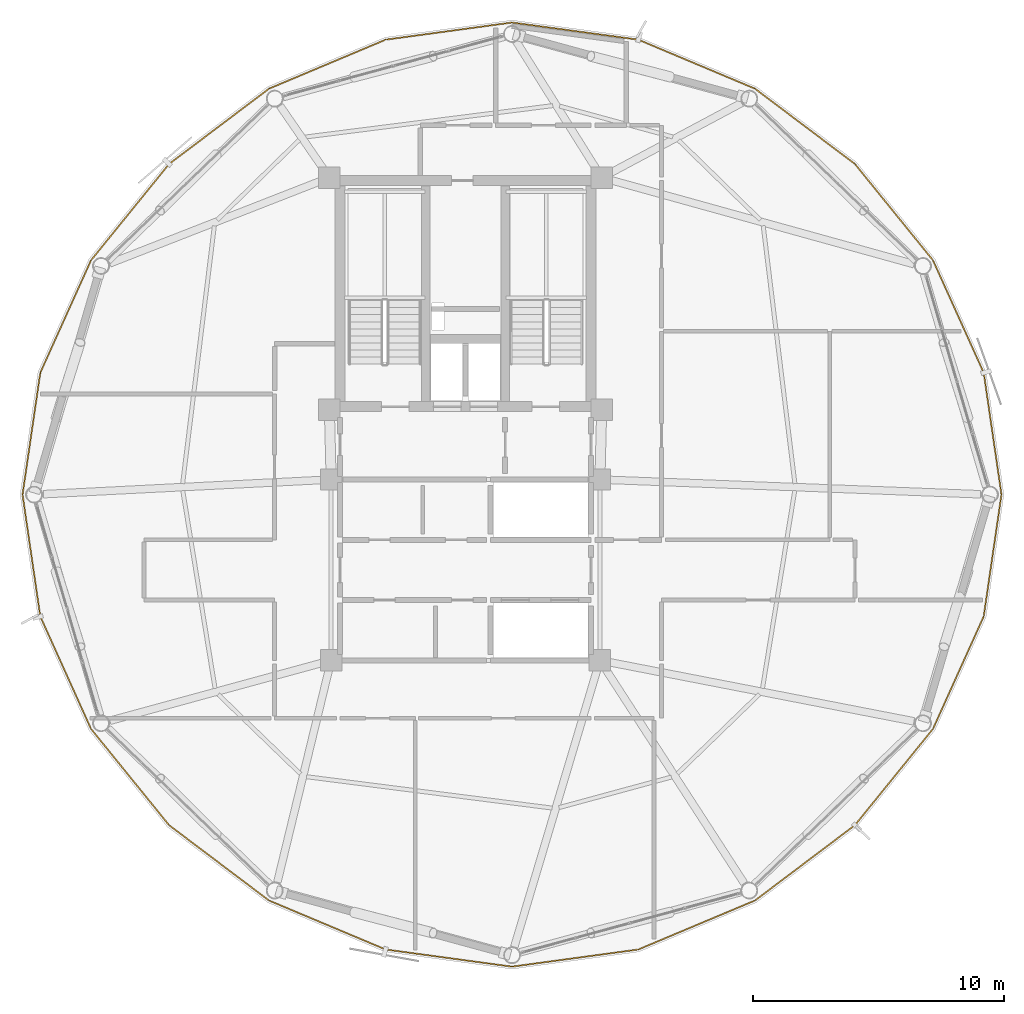
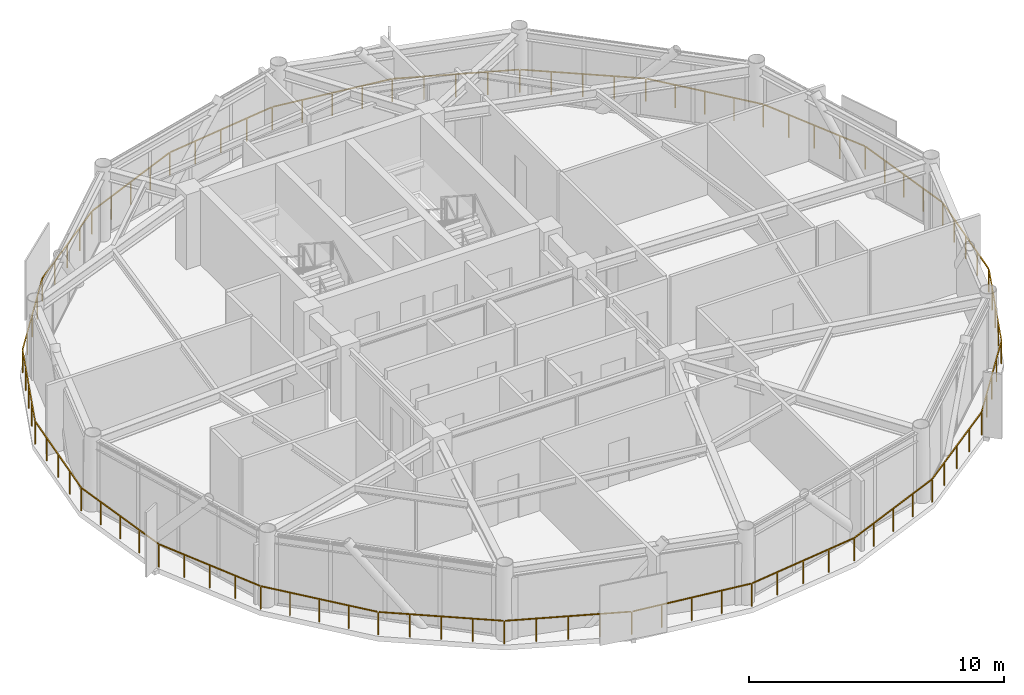
# One storey, part 25 of 26: 1 railing.
"""IFC4 building model written with IfcOpenShell, lengths in metres."""

from ifc_helpers import new_model, si_unit, direction, frame, origin, origin_2d, place, context, subcontext, project, spatial, rectangle, extrude, material, type_object, element, save


model = new_model("IFC4")

# Units and contexts
model_context = context("Model", 3, precision=1e-05, world=origin(), true_north=direction((0.0, 1.0)))
body_context = subcontext(model_context, "Body", "Model", "MODEL_VIEW")
ifc_project = project(units=[si_unit("LENGTHUNIT", "METRE"), si_unit("AREAUNIT", "SQUARE_METRE"), si_unit("VOLUMEUNIT", "CUBIC_METRE"), si_unit("PLANEANGLEUNIT", "RADIAN"), si_unit("MASSUNIT", "GRAM", prefix="KILO")], contexts=[model_context])

# Site, building, storey
site_placement = place(None, origin())
site = spatial("IfcSite", under=ifc_project, at=site_placement, CompositionType="ELEMENT")
building_placement = place(site_placement, origin())
building = spatial("IfcBuilding", under=site, at=building_placement, Name="Varnakorn Sky Granary", CompositionType="ELEMENT")
storey_placement = place(building_placement, frame((0.0, 0.0, 218.39990234375)))
storey = spatial("IfcBuildingStorey", under=building, at=storey_placement, Name="L55", CompositionType="ELEMENT", Elevation=218.39990234375)

# Railing
ifc_material = material(Name="Anodised Bronze Aluminium Alloy 6063-T6", Category="aluminium")
railing_type = type_object("IfcRailingType", Name="RL-BAL-1120", PredefinedType="BALUSTRADE", material=ifc_material)
railing_placement = place(storey_placement, frame((24.3359375, 0.0, 0.0)))
element("IfcRailing", 1, at=railing_placement, inside=storey, type_object=railing_type, Name="Perimeter Slab-Edge Safety Guard L55", PredefinedType="BALUSTRADE", context=body_context, shape_type="SweptSolid", body=[
    extrude(rectangle(XDim=0.048095703125, YDim=0.048095703125, at=origin_2d()), frame((-0.004150390625, -0.027587890625, 1.09619140625), z_axis=(-0.144203247853, -0.989548090448, 0.0), x_axis=(0.989548090448, -0.144203247853, 0.0)), (0.0, 0.0, 1.0), 4.84521484375),
    extrude(rectangle(XDim=0.048095703125, YDim=0.048095703125, at=origin_2d()), frame((-0.71826171875, -4.875732421875, 1.09619140625), z_axis=(-0.411141774929, -0.91157141295, 0.0), x_axis=(0.91157141295, -0.411141774929, 0.0)), (0.0, 0.0, 1.0), 4.854736328125),
    extrude(rectangle(XDim=0.048095703125, YDim=0.048095703125, at=origin_2d()), frame((-2.743408203125, -9.348388671875, 1.09619140625), z_axis=(-0.629677714753, -0.776856470362, 0.0), x_axis=(0.776856470362, -0.629677714753, 0.0)), (0.0, 0.0, 1.0), 4.87890625),
    extrude(rectangle(XDim=0.048095703125, YDim=0.048095703125, at=origin_2d()), frame((-5.855712890625, -13.17724609375, 1.09619140625), z_axis=(-0.7985092498, -0.6019825396, 0.0), x_axis=(0.6019825396, -0.7985092498, 0.0)), (0.0, 0.0, 1.0), 4.92431640625),
    extrude(rectangle(XDim=0.048095703125, YDim=0.048095703125, at=origin_2d()), frame((-9.8359375, -16.169189453125, 1.09619140625), z_axis=(-0.921973454542, -0.387253081485, 0.0), x_axis=(0.387253081485, -0.921973454542, 0.0)), (0.0, 0.0, 1.0), 4.98193359375),
    extrude(rectangle(XDim=0.048095703125, YDim=0.048095703125, at=origin_2d()), frame((-14.482666015625, -18.113037109375, 1.09619140625), z_axis=(-0.990888304765, -0.134686181475, 0.0), x_axis=(0.134686181475, -0.990888304765, 0.0)), (0.0, 0.0, 1.0), 5.021240234375),
    extrude(rectangle(XDim=0.048095703125, YDim=0.048095703125, at=origin_2d()), frame((-19.513671875, -18.78955078125, 1.09619140625), z_axis=(-0.990889176983, 0.134679764399, 0.0), x_axis=(-0.134679764399, -0.990889176983, 0.0)), (0.0, 0.0, 1.0), 5.021484375),
    extrude(rectangle(XDim=0.048095703125, YDim=0.048095703125, at=origin_2d()), frame((-24.54296875, -18.0986328125, 1.09619140625), z_axis=(-0.921966186581, 0.387270384618, 0.0), x_axis=(-0.387270384618, -0.921966186581, 0.0)), (0.0, 0.0, 1.0), 4.981689453125),
    extrude(rectangle(XDim=0.048095703125, YDim=0.048095703125, at=origin_2d()), frame((-29.18408203125, -16.1416015625, 1.09619140625), z_axis=(-0.798527013271, 0.601958976241, 0.0), x_axis=(-0.601958976241, -0.798527013271, 0.0)), (0.0, 0.0, 1.0), 4.924560546875),
    extrude(rectangle(XDim=0.048095703125, YDim=0.048095703125, at=origin_2d()), frame((-33.15625, -13.138671875, 1.09619140625), z_axis=(-0.629677714753, 0.776856470362, 0.0), x_axis=(-0.776856470362, -0.629677714753, 0.0)), (0.0, 0.0, 1.0), 4.87890625),
    extrude(rectangle(XDim=0.048095703125, YDim=0.048095703125, at=origin_2d()), frame((-36.257568359375, -9.301025390625, 1.09619140625), z_axis=(-0.411141774929, 0.91157141295, 0.0), x_axis=(-0.91157141295, -0.411141774929, 0.0)), (0.0, 0.0, 1.0), 4.854736328125),
    extrude(rectangle(XDim=0.048095703125, YDim=0.048095703125, at=origin_2d()), frame((-38.269287109375, -4.822509765625, 1.09619140625), z_axis=(-0.144203247853, 0.989548090448, 0.0), x_axis=(-0.989548090448, -0.144203247853, 0.0)), (0.0, 0.0, 1.0), 4.84521484375),
    extrude(rectangle(XDim=0.048095703125, YDim=0.048095703125, at=origin_2d()), frame((-38.9677734375, 0.027587890625, 1.09619140625), z_axis=(0.144203247853, 0.989548090448, 0.0), x_axis=(-0.989548090448, 0.144203247853, 0.0)), (0.0, 0.0, 1.0), 4.84521484375),
    extrude(rectangle(XDim=0.048095703125, YDim=0.048095703125, at=origin_2d()), frame((-38.253662109375, 4.875732421875, 1.09619140625), z_axis=(0.411141774929, 0.91157141295, 0.0), x_axis=(-0.91157141295, 0.411141774929, 0.0)), (0.0, 0.0, 1.0), 4.854736328125),
    extrude(rectangle(XDim=0.048095703125, YDim=0.048095703125, at=origin_2d()), frame((-36.228515625, 9.348388671875, 1.09619140625), z_axis=(0.629677714753, 0.776856470362, 0.0), x_axis=(-0.776856470362, 0.629677714753, 0.0)), (0.0, 0.0, 1.0), 4.87890625),
    extrude(rectangle(XDim=0.048095703125, YDim=0.048095703125, at=origin_2d()), frame((-33.1162109375, 13.17724609375, 1.09619140625), z_axis=(0.798527013271, 0.601958976241, 0.0), x_axis=(-0.601958976241, 0.798527013271, 0.0)), (0.0, 0.0, 1.0), 4.924560546875),
    extrude(rectangle(XDim=0.048095703125, YDim=0.048095703125, at=origin_2d()), frame((-29.1357421875, 16.169189453125, 1.09619140625), z_axis=(0.921966186581, 0.387270384618, 0.0), x_axis=(-0.387270384618, 0.921966186581, 0.0)), (0.0, 0.0, 1.0), 4.981689453125),
    extrude(rectangle(XDim=0.048095703125, YDim=0.048095703125, at=origin_2d()), frame((-24.4892578125, 18.113037109375, 1.09619140625), z_axis=(0.990889176983, 0.134679764399, 0.0), x_axis=(-0.134679764399, 0.990889176983, 0.0)), (0.0, 0.0, 1.0), 5.021484375),
    extrude(rectangle(XDim=0.048095703125, YDim=0.048095703125, at=origin_2d()), frame((-19.4580078125, 18.78955078125, 1.09619140625), z_axis=(0.990888304765, -0.134686181475, 0.0), x_axis=(0.134686181475, 0.990888304765, 0.0)), (0.0, 0.0, 1.0), 5.021240234375),
    extrude(rectangle(XDim=0.048095703125, YDim=0.048095703125, at=origin_2d()), frame((-14.428955078125, 18.0986328125, 1.09619140625), z_axis=(0.921973454542, -0.387253081485, 0.0), x_axis=(0.387253081485, 0.921973454542, 0.0)), (0.0, 0.0, 1.0), 4.98193359375),
    extrude(rectangle(XDim=0.048095703125, YDim=0.048095703125, at=origin_2d()), frame((-9.78759765625, 16.1416015625, 1.09619140625), z_axis=(0.7985092498, -0.6019825396, 0.0), x_axis=(0.6019825396, 0.7985092498, 0.0)), (0.0, 0.0, 1.0), 4.92431640625),
    extrude(rectangle(XDim=0.048095703125, YDim=0.048095703125, at=origin_2d()), frame((-5.815673828125, 13.138671875, 1.09619140625), z_axis=(0.629677714753, -0.776856470362, 0.0), x_axis=(0.776856470362, 0.629677714753, 0.0)), (0.0, 0.0, 1.0), 4.87890625),
    extrude(rectangle(XDim=0.048095703125, YDim=0.048095703125, at=origin_2d()), frame((-2.71435546875, 9.301025390625, 1.09619140625), z_axis=(0.411141774929, -0.91157141295, 0.0), x_axis=(0.91157141295, 0.411141774929, 0.0)), (0.0, 0.0, 1.0), 4.854736328125),
    extrude(rectangle(XDim=0.048095703125, YDim=0.048095703125, at=origin_2d()), frame((-0.70263671875, 4.822509765625, 1.09619140625), z_axis=(0.144203247853, -0.989548090448, 0.0), x_axis=(0.989548090448, 0.144203247853, 0.0)), (0.0, 0.0, 1.0), 4.84521484375),
    extrude(rectangle(XDim=0.0419921875, YDim=0.0419921875, at=origin_2d()), origin(), (0.0, 0.0, 1.0), 1.068115234375),
    extrude(rectangle(XDim=0.0419921875, YDim=0.0419921875, at=origin_2d()), frame((-0.1767578125, -1.21240234375, 0.0)), (0.0, 0.0, 1.0), 1.068115234375),
    extrude(rectangle(XDim=0.0419921875, YDim=0.0419921875, at=origin_2d()), frame((-0.353515625, -2.425048828125, 0.0)), (0.0, 0.0, 1.0), 1.068115234375),
    extrude(rectangle(XDim=0.0419921875, YDim=0.0419921875, at=origin_2d()), frame((-0.530029296875, -3.6376953125, 0.0)), (0.0, 0.0, 1.0), 1.068115234375),
    extrude(rectangle(XDim=0.0419921875, YDim=0.0419921875, at=origin_2d()), frame((-0.706787109375, -4.85009765625, 0.0)), (0.0, 0.0, 1.0), 1.068115234375),
    extrude(rectangle(XDim=0.0419921875, YDim=0.0419921875, at=origin_2d()), frame((-1.21142578125, -5.96923828125, 0.0)), (0.0, 0.0, 1.0), 1.068115234375),
    extrude(rectangle(XDim=0.0419921875, YDim=0.0419921875, at=origin_2d()), frame((-1.71630859375, -7.08837890625, 0.0)), (0.0, 0.0, 1.0), 1.068115234375),
    extrude(rectangle(XDim=0.0419921875, YDim=0.0419921875, at=origin_2d()), frame((-2.22119140625, -8.20751953125, 0.0)), (0.0, 0.0, 1.0), 1.068115234375),
    extrude(rectangle(XDim=0.0419921875, YDim=0.0419921875, at=origin_2d()), frame((-2.725830078125, -9.32666015625, 0.0)), (0.0, 0.0, 1.0), 1.068115234375),
    extrude(rectangle(XDim=0.0419921875, YDim=0.0419921875, at=origin_2d()), frame((-3.502685546875, -10.28515625, 0.0)), (0.0, 0.0, 1.0), 1.068115234375),
    extrude(rectangle(XDim=0.0419921875, YDim=0.0419921875, at=origin_2d()), frame((-4.279541015625, -11.24365234375, 0.0)), (0.0, 0.0, 1.0), 1.068115234375),
    extrude(rectangle(XDim=0.0419921875, YDim=0.0419921875, at=origin_2d()), frame((-5.056396484375, -12.201904296875, 0.0)), (0.0, 0.0, 1.0), 1.068115234375),
    extrude(rectangle(XDim=0.0419921875, YDim=0.0419921875, at=origin_2d()), frame((-5.833251953125, -13.160400390625, 0.0)), (0.0, 0.0, 1.0), 1.068115234375),
    extrude(rectangle(XDim=0.0419921875, YDim=0.0419921875, at=origin_2d()), frame((-6.827392578125, -13.909912109375, 0.0)), (0.0, 0.0, 1.0), 1.068115234375),
    extrude(rectangle(XDim=0.0419921875, YDim=0.0419921875, at=origin_2d()), frame((-7.82177734375, -14.659423828125, 0.0)), (0.0, 0.0, 1.0), 1.068115234375),
    extrude(rectangle(XDim=0.0419921875, YDim=0.0419921875, at=origin_2d()), frame((-8.81591796875, -15.408935546875, 0.0)), (0.0, 0.0, 1.0), 1.068115234375),
    extrude(rectangle(XDim=0.0419921875, YDim=0.0419921875, at=origin_2d()), frame((-9.81005859375, -16.158447265625, 0.0)), (0.0, 0.0, 1.0), 1.068115234375),
    extrude(rectangle(XDim=0.0419921875, YDim=0.0419921875, at=origin_2d()), frame((-10.97119140625, -16.646240234375, 0.0)), (0.0, 0.0, 1.0), 1.068115234375),
    extrude(rectangle(XDim=0.0419921875, YDim=0.0419921875, at=origin_2d()), frame((-12.13232421875, -17.1337890625, 0.0)), (0.0, 0.0, 1.0), 1.068115234375),
    extrude(rectangle(XDim=0.0419921875, YDim=0.0419921875, at=origin_2d()), frame((-13.293701171875, -17.62158203125, 0.0)), (0.0, 0.0, 1.0), 1.068115234375),
    extrude(rectangle(XDim=0.0419921875, YDim=0.0419921875, at=origin_2d()), frame((-14.454833984375, -18.109375, 0.0)), (0.0, 0.0, 1.0), 1.068115234375),
    extrude(rectangle(XDim=0.0419921875, YDim=0.0419921875, at=origin_2d()), frame((-15.712646484375, -18.2802734375, 0.0)), (0.0, 0.0, 1.0), 1.068115234375),
    extrude(rectangle(XDim=0.0419921875, YDim=0.0419921875, at=origin_2d()), frame((-16.97021484375, -18.451171875, 0.0)), (0.0, 0.0, 1.0), 1.068115234375),
    extrude(rectangle(XDim=0.0419921875, YDim=0.0419921875, at=origin_2d()), frame((-18.22802734375, -18.622314453125, 0.0)), (0.0, 0.0, 1.0), 1.068115234375),
    extrude(rectangle(XDim=0.0419921875, YDim=0.0419921875, at=origin_2d()), frame((-19.48583984375, -18.793212890625, 0.0)), (0.0, 0.0, 1.0), 1.068115234375),
    extrude(rectangle(XDim=0.0419921875, YDim=0.0419921875, at=origin_2d()), frame((-20.74365234375, -18.622314453125, 0.0)), (0.0, 0.0, 1.0), 1.068115234375),
    extrude(rectangle(XDim=0.0419921875, YDim=0.0419921875, at=origin_2d()), frame((-22.00146484375, -18.451171875, 0.0)), (0.0, 0.0, 1.0), 1.068115234375),
    extrude(rectangle(XDim=0.0419921875, YDim=0.0419921875, at=origin_2d()), frame((-23.25927734375, -18.2802734375, 0.0)), (0.0, 0.0, 1.0), 1.068115234375),
    extrude(rectangle(XDim=0.0419921875, YDim=0.0419921875, at=origin_2d()), frame((-24.51708984375, -18.109375, 0.0)), (0.0, 0.0, 1.0), 1.068115234375),
    extrude(rectangle(XDim=0.0419921875, YDim=0.0419921875, at=origin_2d()), frame((-25.67822265625, -17.62158203125, 0.0)), (0.0, 0.0, 1.0), 1.068115234375),
    extrude(rectangle(XDim=0.0419921875, YDim=0.0419921875, at=origin_2d()), frame((-26.83935546875, -17.1337890625, 0.0)), (0.0, 0.0, 1.0), 1.068115234375),
    extrude(rectangle(XDim=0.0419921875, YDim=0.0419921875, at=origin_2d()), frame((-28.00048828125, -16.646240234375, 0.0)), (0.0, 0.0, 1.0), 1.068115234375),
    extrude(rectangle(XDim=0.0419921875, YDim=0.0419921875, at=origin_2d()), frame((-29.16162109375, -16.158447265625, 0.0)), (0.0, 0.0, 1.0), 1.068115234375),
    extrude(rectangle(XDim=0.0419921875, YDim=0.0419921875, at=origin_2d()), frame((-30.15576171875, -15.408935546875, 0.0)), (0.0, 0.0, 1.0), 1.068115234375),
    extrude(rectangle(XDim=0.0419921875, YDim=0.0419921875, at=origin_2d()), frame((-31.150146484375, -14.659423828125, 0.0)), (0.0, 0.0, 1.0), 1.068115234375),
    extrude(rectangle(XDim=0.0419921875, YDim=0.0419921875, at=origin_2d()), frame((-32.14453125, -13.909912109375, 0.0)), (0.0, 0.0, 1.0), 1.068115234375),
    extrude(rectangle(XDim=0.0419921875, YDim=0.0419921875, at=origin_2d()), frame((-33.138671875, -13.160400390625, 0.0)), (0.0, 0.0, 1.0), 1.068115234375),
    extrude(rectangle(XDim=0.0419921875, YDim=0.0419921875, at=origin_2d()), frame((-33.91552734375, -12.201904296875, 0.0)), (0.0, 0.0, 1.0), 1.068115234375),
    extrude(rectangle(XDim=0.0419921875, YDim=0.0419921875, at=origin_2d()), frame((-34.6923828125, -11.24365234375, 0.0)), (0.0, 0.0, 1.0), 1.068115234375),
    extrude(rectangle(XDim=0.0419921875, YDim=0.0419921875, at=origin_2d()), frame((-35.46923828125, -10.28515625, 0.0)), (0.0, 0.0, 1.0), 1.068115234375),
    extrude(rectangle(XDim=0.0419921875, YDim=0.0419921875, at=origin_2d()), frame((-36.24609375, -9.32666015625, 0.0)), (0.0, 0.0, 1.0), 1.068115234375),
    extrude(rectangle(XDim=0.0419921875, YDim=0.0419921875, at=origin_2d()), frame((-36.7509765625, -8.20751953125, 0.0)), (0.0, 0.0, 1.0), 1.068115234375),
    extrude(rectangle(XDim=0.0419921875, YDim=0.0419921875, at=origin_2d()), frame((-37.255615234375, -7.08837890625, 0.0)), (0.0, 0.0, 1.0), 1.068115234375),
    extrude(rectangle(XDim=0.0419921875, YDim=0.0419921875, at=origin_2d()), frame((-37.76025390625, -5.96923828125, 0.0)), (0.0, 0.0, 1.0), 1.068115234375),
    extrude(rectangle(XDim=0.0419921875, YDim=0.0419921875, at=origin_2d()), frame((-38.26513671875, -4.85009765625, 0.0)), (0.0, 0.0, 1.0), 1.068115234375),
    extrude(rectangle(XDim=0.0419921875, YDim=0.0419921875, at=origin_2d()), frame((-38.44189453125, -3.6376953125, 0.0)), (0.0, 0.0, 1.0), 1.068115234375),
    extrude(rectangle(XDim=0.0419921875, YDim=0.0419921875, at=origin_2d()), frame((-38.61865234375, -2.425048828125, 0.0)), (0.0, 0.0, 1.0), 1.068115234375),
    extrude(rectangle(XDim=0.0419921875, YDim=0.0419921875, at=origin_2d()), frame((-38.795166015625, -1.21240234375, 0.0)), (0.0, 0.0, 1.0), 1.068115234375),
    extrude(rectangle(XDim=0.0419921875, YDim=0.0419921875, at=origin_2d()), frame((-38.971923828125, 0.0, 0.0)), (0.0, 0.0, 1.0), 1.068115234375),
    extrude(rectangle(XDim=0.0419921875, YDim=0.0419921875, at=origin_2d()), frame((-38.795166015625, 1.21240234375, 0.0)), (0.0, 0.0, 1.0), 1.068115234375),
    extrude(rectangle(XDim=0.0419921875, YDim=0.0419921875, at=origin_2d()), frame((-38.61865234375, 2.425048828125, 0.0)), (0.0, 0.0, 1.0), 1.068115234375),
    extrude(rectangle(XDim=0.0419921875, YDim=0.0419921875, at=origin_2d()), frame((-38.44189453125, 3.6376953125, 0.0)), (0.0, 0.0, 1.0), 1.068115234375),
    extrude(rectangle(XDim=0.0419921875, YDim=0.0419921875, at=origin_2d()), frame((-38.26513671875, 4.85009765625, 0.0)), (0.0, 0.0, 1.0), 1.068115234375),
    extrude(rectangle(XDim=0.0419921875, YDim=0.0419921875, at=origin_2d()), frame((-37.76025390625, 5.96923828125, 0.0)), (0.0, 0.0, 1.0), 1.068115234375),
    extrude(rectangle(XDim=0.0419921875, YDim=0.0419921875, at=origin_2d()), frame((-37.255615234375, 7.08837890625, 0.0)), (0.0, 0.0, 1.0), 1.068115234375),
    extrude(rectangle(XDim=0.0419921875, YDim=0.0419921875, at=origin_2d()), frame((-36.7509765625, 8.20751953125, 0.0)), (0.0, 0.0, 1.0), 1.068115234375),
    extrude(rectangle(XDim=0.0419921875, YDim=0.0419921875, at=origin_2d()), frame((-36.24609375, 9.32666015625, 0.0)), (0.0, 0.0, 1.0), 1.068115234375),
    extrude(rectangle(XDim=0.0419921875, YDim=0.0419921875, at=origin_2d()), frame((-35.46923828125, 10.28515625, 0.0)), (0.0, 0.0, 1.0), 1.068115234375),
    extrude(rectangle(XDim=0.0419921875, YDim=0.0419921875, at=origin_2d()), frame((-34.6923828125, 11.24365234375, 0.0)), (0.0, 0.0, 1.0), 1.068115234375),
    extrude(rectangle(XDim=0.0419921875, YDim=0.0419921875, at=origin_2d()), frame((-33.91552734375, 12.201904296875, 0.0)), (0.0, 0.0, 1.0), 1.068115234375),
    extrude(rectangle(XDim=0.0419921875, YDim=0.0419921875, at=origin_2d()), frame((-33.138671875, 13.160400390625, 0.0)), (0.0, 0.0, 1.0), 1.068115234375),
    extrude(rectangle(XDim=0.0419921875, YDim=0.0419921875, at=origin_2d()), frame((-32.14453125, 13.909912109375, 0.0)), (0.0, 0.0, 1.0), 1.068115234375),
    extrude(rectangle(XDim=0.0419921875, YDim=0.0419921875, at=origin_2d()), frame((-31.150146484375, 14.659423828125, 0.0)), (0.0, 0.0, 1.0), 1.068115234375),
    extrude(rectangle(XDim=0.0419921875, YDim=0.0419921875, at=origin_2d()), frame((-30.15576171875, 15.408935546875, 0.0)), (0.0, 0.0, 1.0), 1.068115234375),
    extrude(rectangle(XDim=0.0419921875, YDim=0.0419921875, at=origin_2d()), frame((-29.16162109375, 16.158447265625, 0.0)), (0.0, 0.0, 1.0), 1.068115234375),
    extrude(rectangle(XDim=0.0419921875, YDim=0.0419921875, at=origin_2d()), frame((-28.00048828125, 16.646240234375, 0.0)), (0.0, 0.0, 1.0), 1.068115234375),
    extrude(rectangle(XDim=0.0419921875, YDim=0.0419921875, at=origin_2d()), frame((-26.83935546875, 17.1337890625, 0.0)), (0.0, 0.0, 1.0), 1.068115234375),
    extrude(rectangle(XDim=0.0419921875, YDim=0.0419921875, at=origin_2d()), frame((-25.67822265625, 17.62158203125, 0.0)), (0.0, 0.0, 1.0), 1.068115234375),
    extrude(rectangle(XDim=0.0419921875, YDim=0.0419921875, at=origin_2d()), frame((-24.51708984375, 18.109375, 0.0)), (0.0, 0.0, 1.0), 1.068115234375),
    extrude(rectangle(XDim=0.0419921875, YDim=0.0419921875, at=origin_2d()), frame((-23.25927734375, 18.2802734375, 0.0)), (0.0, 0.0, 1.0), 1.068115234375),
    extrude(rectangle(XDim=0.0419921875, YDim=0.0419921875, at=origin_2d()), frame((-22.00146484375, 18.451171875, 0.0)), (0.0, 0.0, 1.0), 1.068115234375),
    extrude(rectangle(XDim=0.0419921875, YDim=0.0419921875, at=origin_2d()), frame((-20.74365234375, 18.622314453125, 0.0)), (0.0, 0.0, 1.0), 1.068115234375),
    extrude(rectangle(XDim=0.0419921875, YDim=0.0419921875, at=origin_2d()), frame((-19.48583984375, 18.793212890625, 0.0)), (0.0, 0.0, 1.0), 1.068115234375),
    extrude(rectangle(XDim=0.0419921875, YDim=0.0419921875, at=origin_2d()), frame((-18.22802734375, 18.622314453125, 0.0)), (0.0, 0.0, 1.0), 1.068115234375),
    extrude(rectangle(XDim=0.0419921875, YDim=0.0419921875, at=origin_2d()), frame((-16.97021484375, 18.451171875, 0.0)), (0.0, 0.0, 1.0), 1.068115234375),
    extrude(rectangle(XDim=0.0419921875, YDim=0.0419921875, at=origin_2d()), frame((-15.712646484375, 18.2802734375, 0.0)), (0.0, 0.0, 1.0), 1.068115234375),
    extrude(rectangle(XDim=0.0419921875, YDim=0.0419921875, at=origin_2d()), frame((-14.454833984375, 18.109375, 0.0)), (0.0, 0.0, 1.0), 1.068115234375),
    extrude(rectangle(XDim=0.0419921875, YDim=0.0419921875, at=origin_2d()), frame((-13.293701171875, 17.62158203125, 0.0)), (0.0, 0.0, 1.0), 1.068115234375),
    extrude(rectangle(XDim=0.0419921875, YDim=0.0419921875, at=origin_2d()), frame((-12.13232421875, 17.1337890625, 0.0)), (0.0, 0.0, 1.0), 1.068115234375),
    extrude(rectangle(XDim=0.0419921875, YDim=0.0419921875, at=origin_2d()), frame((-10.97119140625, 16.646240234375, 0.0)), (0.0, 0.0, 1.0), 1.068115234375),
    extrude(rectangle(XDim=0.0419921875, YDim=0.0419921875, at=origin_2d()), frame((-9.81005859375, 16.158447265625, 0.0)), (0.0, 0.0, 1.0), 1.068115234375),
    extrude(rectangle(XDim=0.0419921875, YDim=0.0419921875, at=origin_2d()), frame((-8.81591796875, 15.408935546875, 0.0)), (0.0, 0.0, 1.0), 1.068115234375),
    extrude(rectangle(XDim=0.0419921875, YDim=0.0419921875, at=origin_2d()), frame((-7.82177734375, 14.659423828125, 0.0)), (0.0, 0.0, 1.0), 1.068115234375),
    extrude(rectangle(XDim=0.0419921875, YDim=0.0419921875, at=origin_2d()), frame((-6.827392578125, 13.909912109375, 0.0)), (0.0, 0.0, 1.0), 1.068115234375),
    extrude(rectangle(XDim=0.0419921875, YDim=0.0419921875, at=origin_2d()), frame((-5.833251953125, 13.160400390625, 0.0)), (0.0, 0.0, 1.0), 1.068115234375),
    extrude(rectangle(XDim=0.0419921875, YDim=0.0419921875, at=origin_2d()), frame((-5.056396484375, 12.201904296875, 0.0)), (0.0, 0.0, 1.0), 1.068115234375),
    extrude(rectangle(XDim=0.0419921875, YDim=0.0419921875, at=origin_2d()), frame((-4.279541015625, 11.24365234375, 0.0)), (0.0, 0.0, 1.0), 1.068115234375),
    extrude(rectangle(XDim=0.0419921875, YDim=0.0419921875, at=origin_2d()), frame((-3.502685546875, 10.28515625, 0.0)), (0.0, 0.0, 1.0), 1.068115234375),
    extrude(rectangle(XDim=0.0419921875, YDim=0.0419921875, at=origin_2d()), frame((-2.725830078125, 9.32666015625, 0.0)), (0.0, 0.0, 1.0), 1.068115234375),
    extrude(rectangle(XDim=0.0419921875, YDim=0.0419921875, at=origin_2d()), frame((-2.22119140625, 8.20751953125, 0.0)), (0.0, 0.0, 1.0), 1.068115234375),
    extrude(rectangle(XDim=0.0419921875, YDim=0.0419921875, at=origin_2d()), frame((-1.71630859375, 7.08837890625, 0.0)), (0.0, 0.0, 1.0), 1.068115234375),
    extrude(rectangle(XDim=0.0419921875, YDim=0.0419921875, at=origin_2d()), frame((-1.21142578125, 5.96923828125, 0.0)), (0.0, 0.0, 1.0), 1.068115234375),
    extrude(rectangle(XDim=0.0419921875, YDim=0.0419921875, at=origin_2d()), frame((-0.706787109375, 4.85009765625, 0.0)), (0.0, 0.0, 1.0), 1.068115234375),
    extrude(rectangle(XDim=0.0419921875, YDim=0.0419921875, at=origin_2d()), frame((-0.530029296875, 3.6376953125, 0.0)), (0.0, 0.0, 1.0), 1.068115234375),
    extrude(rectangle(XDim=0.0419921875, YDim=0.0419921875, at=origin_2d()), frame((-0.353515625, 2.425048828125, 0.0)), (0.0, 0.0, 1.0), 1.068115234375),
    extrude(rectangle(XDim=0.0419921875, YDim=0.0419921875, at=origin_2d()), frame((-0.1767578125, 1.21240234375, 0.0)), (0.0, 0.0, 1.0), 1.068115234375),
])

save(model, "model.ifc")
